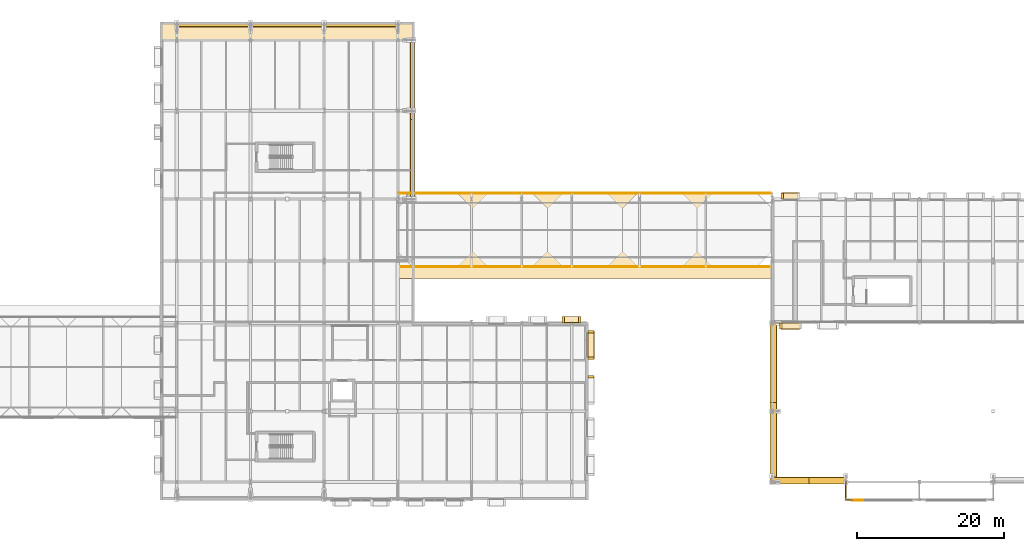
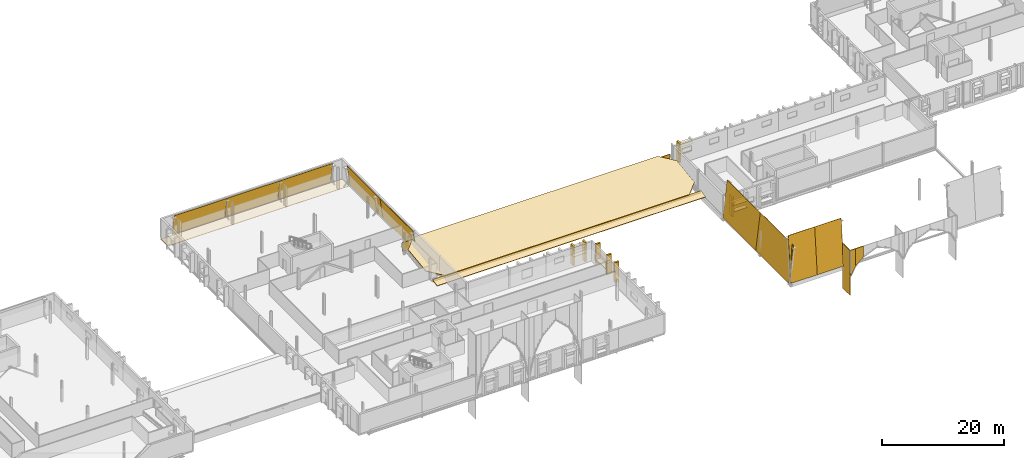
# One storey, part 88 of 90: 32 coverings, 1 shading device.
"""IFC4 building model written with IfcOpenShell, lengths in metres."""

from ifc_helpers import new_model, si_unit, direction, frame, origin, origin_2d, place, context, subcontext, project, spatial, polyline, rectangle, outline, extrude, material, layer, layer_set, type_object, element, save


model = new_model("IFC4")

# Units and contexts
model_context = context("Model", 3, precision=1e-05, world=origin(), true_north=direction((0.0, 1.0)))
body_context = subcontext(model_context, "Body", "Model", "MODEL_VIEW")
ifc_project = project(units=[si_unit("LENGTHUNIT", "METRE"), si_unit("AREAUNIT", "SQUARE_METRE"), si_unit("VOLUMEUNIT", "CUBIC_METRE"), si_unit("PLANEANGLEUNIT", "RADIAN"), si_unit("MASSUNIT", "GRAM", prefix="KILO")], contexts=[model_context])

# Site, building, storey
site_placement = place(None, origin())
site = spatial("IfcSite", under=ifc_project, at=site_placement, CompositionType="ELEMENT")
building_placement = place(site_placement, origin())
building = spatial("IfcBuilding", under=site, at=building_placement, Name="Zereglee Splitstone Museum", CompositionType="ELEMENT")
storey_placement = place(building_placement, frame((0.0, 0.0, 4.800048828125)))
storey = spatial("IfcBuildingStorey", under=building, at=storey_placement, Name="L01", CompositionType="ELEMENT", Elevation=4.800048828125)

# Coverings
ifc_material_1 = material(Name="Honed Gobi pale limestone stringcourse and soffit cladding", Category="masonry")
ifc_layer_1 = layer(ifc_material_1, 0.070068359375)
ifc_layer_set_1 = layer_set([ifc_layer_1], Name="Honed Gobi pale limestone stringcourse and soffit cladding")
covering_type_1 = type_object("IfcCoveringType", Name="CL-02", PredefinedType="CLADDING", material=ifc_layer_set_1)
for number, where, z_axis, x_axis, name in (
    (1, (231.425048828125, 14.300048828125, 0.0), (0.0, 0.0, 1.0), (0.0, 1.0, 0.0), "Mughal Window Reveal Stone Pilaster L01-0012R"),
    (2, (231.425048828125, 16.780029296875, 0.0), (0.0, 0.0, 1.0), (0.0, 1.0, 0.0), "Mughal Window Reveal Stone Pilaster L01-0013L"),
    (3, (231.425048828125, 20.419921875, 0.0), (0.0, 0.0, 1.0), (0.0, 1.0, 0.0), "Mughal Window Reveal Stone Pilaster L01-0013R"),
):
    element("IfcCovering", number, at=place(storey_placement, frame(where, z_axis=z_axis, x_axis=x_axis)), inside=storey, type_object=covering_type_1, Name=name, PredefinedType="CLADDING", context=body_context, shape_type="SweptSolid", body=[
        extrude(rectangle(XDim=0.340087890625, YDim=0.860107421875, at=origin_2d()), origin(), (0.0, 0.0, 1.0), 3.89990234375),
    ])
covering_1_placement = place(storey_placement, frame((231.43505859375, 18.60009765625, 0.760009765625), z_axis=(0.0, 0.0, 1.0), x_axis=(0.0, 1.0, 0.0)))
element("IfcCovering", 4, at=covering_1_placement, inside=storey, type_object=covering_type_1, Name="Carved Limestone Window Sill L01-0013", PredefinedType="CLADDING", context=body_context, shape_type="SweptSolid", body=[
    extrude(rectangle(XDim=3.840087890625, YDim=0.840087890625, at=origin_2d()), origin(), (0.0, 0.0, 1.0), 0.1201171875),
])
for number, where, z_axis, x_axis, name in (
    (5, (229.8701171875, 22.02490234375, 0.0), (0.0, 0.0, 1.0), (-1.0, 0.0, 0.0), "Mughal Window Reveal Stone Pilaster L01-0014L"),
    (6, (227.6298828125, 22.02490234375, 0.0), (0.0, 0.0, 1.0), (-1.0, 0.0, 0.0), "Mughal Window Reveal Stone Pilaster L01-0014R"),
):
    element("IfcCovering", number, at=place(storey_placement, frame(where, z_axis=z_axis, x_axis=x_axis)), inside=storey, type_object=covering_type_1, Name=name, PredefinedType="CLADDING", context=body_context, shape_type="SweptSolid", body=[
        extrude(rectangle(XDim=0.340087890625, YDim=0.860107421875, at=origin_2d()), origin(), (0.0, 0.0, 1.0), 3.89990234375),
    ])
covering_2_placement = place(storey_placement, frame((228.75, 22.034912109375, 1.659912109375), z_axis=(0.0, 0.0, 1.0), x_axis=(-1.0, 0.0, 0.0)))
element("IfcCovering", 7, at=covering_2_placement, inside=storey, type_object=covering_type_1, Name="Carved Limestone Window Sill L01-0014", PredefinedType="CLADDING", context=body_context, shape_type="SweptSolid", body=[
    extrude(rectangle(XDim=2.43994140625, YDim=0.840087890625, at=origin_2d()), origin(), (0.0, 0.0, 1.0), 0.1201171875),
])
covering_3_placement = place(storey_placement, frame((257.3798828125, 38.824951171875, 0.0), z_axis=(0.0, 0.0, 1.0), x_axis=(-1.0, 0.0, 0.0)))
element("IfcCovering", 8, at=covering_3_placement, inside=storey, type_object=covering_type_1, Name="Mughal Window Reveal Stone Pilaster L01-0049R", PredefinedType="CLADDING", context=body_context, shape_type="SweptSolid", body=[
    extrude(rectangle(XDim=0.340087890625, YDim=0.860107421875, at=origin_2d()), origin(), (0.0, 0.0, 1.0), 3.89990234375),
])
covering_4_placement = place(storey_placement, frame((258.5, 38.8349609375, 1.659912109375), z_axis=(0.0, 0.0, 1.0), x_axis=(-1.0, 0.0, 0.0)))
element("IfcCovering", 9, at=covering_4_placement, inside=storey, type_object=covering_type_1, Name="Carved Limestone Window Sill L01-0049", PredefinedType="CLADDING", context=body_context, shape_type="SweptSolid", body=[
    extrude(rectangle(XDim=2.43994140625, YDim=0.840087890625, at=origin_2d()), origin(), (0.0, 0.0, 1.0), 0.1201171875),
])
covering_5_placement = place(storey_placement, frame((257.179931640625, 21.175048828125, 0.0), z_axis=(0.0, 0.0, 1.0), x_axis=(1.0, 0.0, 0.0)))
element("IfcCovering", 10, at=covering_5_placement, inside=storey, type_object=covering_type_1, Name="Mughal Window Reveal Stone Pilaster L01-0050L", PredefinedType="CLADDING", context=body_context, shape_type="SweptSolid", body=[
    extrude(rectangle(XDim=0.340087890625, YDim=0.860107421875, at=origin_2d()), origin(), (0.0, 0.0, 1.0), 3.89990234375),
])
covering_6_placement = place(storey_placement, frame((258.5, 21.1650390625, 0.760009765625), z_axis=(0.0, 0.0, 1.0), x_axis=(1.0, 0.0, 0.0)))
element("IfcCovering", 11, at=covering_6_placement, inside=storey, type_object=covering_type_1, Name="Carved Limestone Window Sill L01-0050", PredefinedType="CLADDING", context=body_context, shape_type="SweptSolid", body=[
    extrude(rectangle(XDim=2.840087890625, YDim=0.840087890625, at=origin_2d()), origin(), (0.0, 0.0, 1.0), 0.1201171875),
])
covering_7_placement = place(storey_placement, frame((0.0, 0.0, -0.35009765625)))
element("IfcCovering", 12, at=covering_7_placement, inside=storey, type_object=covering_type_1, Name="Hovering Stone Plinth Soffit Apron 010", PredefinedType="CLADDING", context=body_context, shape_type="SweptSolid", body=[
    extrude(outline(polyline([(173.0, 60.050048828125), (207.39990234375, 60.050048828125), (207.39990234375, 62.39990234375), (173.0, 62.39990234375), (173.0, 60.050048828125)])), origin(), (0.0, 0.0, 1.0), 0.070068359375),
])
for number, where, z_axis, x_axis, name in (
    (13, (175.199951171875, 61.844970703125, 3.949951171875), (0.0, 0.98893721671, 0.148334693872), (1.0, 0.0, 0.0), "Split-Rock Continuous Inclined Facet FH-V4N L01.1"),
    (14, (185.199951171875, 61.844970703125, 3.949951171875), (0.0, 0.98893721671, 0.148334693872), (1.0, 0.0, 0.0), "Split-Rock Continuous Inclined Facet FH-V4N L01.2"),
    (15, (195.199951171875, 61.844970703125, 3.949951171875), (0.0, 0.98893721671, 0.148334693872), (1.0, 0.0, 0.0), "Split-Rock Continuous Inclined Facet FH-V4N L01.3"),
):
    element("IfcCovering", number, at=place(storey_placement, frame(where, z_axis=z_axis, x_axis=x_axis)), inside=storey, type_object=covering_type_1, Name=name, PredefinedType="CLADDING", context=body_context, shape_type="SweptSolid", body=[
        extrude(outline(polyline([(0.0, 0.0), (10.0, 0.0), (10.0, 4.145963552560896), (0.0, 4.145963552560896), (0.0, 0.0)])), origin(), (0.0, 0.0, -1.0), 0.070068359375),
    ])
for number, where, z_axis, x_axis, name in (
    (16, (256.590087890625, 0.0, 7.0), (-0.993195732708, 0.0, 0.116457015803), (0.0, 1.0, 0.0), "Split-Rock Continuous Inclined Facet FH-V5W L01.1"),
    (17, (256.590087890625, 10.800048828125, 7.0), (-0.993195732708, 0.0, 0.116457015803), (0.0, 1.0, 0.0), "Split-Rock Continuous Inclined Facet FH-V5W L01.2"),
):
    element("IfcCovering", number, at=place(storey_placement, frame(where, z_axis=z_axis, x_axis=x_axis)), inside=storey, type_object=covering_type_1, Name=name, PredefinedType="CLADDING", context=body_context, shape_type="SweptSolid", body=[
        extrude(outline(polyline([(0.0, 0.0), (10.800048828125, 0.0), (10.800048828125, 7.299668898324208), (0.0, 7.299668898324208), (0.0, 0.0)])), origin(), (0.0, 0.0, -1.0), 0.070068359375),
    ])
covering_8_placement = place(storey_placement, frame((0.0, 0.0, -4.800048828125)))
element("IfcCovering", 18, at=covering_8_placement, inside=storey, type_object=covering_type_1, Name="Mughal Iwan Stone Cheek Return PSQ-SV5-1", PredefinedType="CLADDING", context=body_context, shape_type="SweptSolid", body=[
    extrude(outline(polyline([(265.929931640625, -2.39990234375), (266.070068359375, -2.39990234375), (266.070068359375, 0.0), (265.929931640625, 0.0), (265.929931640625, -2.39990234375)])), origin(), (0.0, 0.0, 1.0), 8.97998046875),
])
ifc_material_2 = material(Name="Honed Khoroo red sandstone ventilated rainscreen", Category="masonry")
ifc_layer_2 = layer(ifc_material_2, 0.080078125)
ifc_layer_set_2 = layer_set([ifc_layer_2], Name="Honed Khoroo red sandstone ventilated rainscreen")
covering_type_2 = type_object("IfcCoveringType", Name="CL-01", PredefinedType="CLADDING", material=ifc_layer_set_2)
covering_9_placement = place(storey_placement, frame((231.43505859375, 18.60009765625, 2.159912109375), z_axis=(0.0, 0.0, 1.0), x_axis=(0.0, 1.0, 0.0)))
element("IfcCovering", 19, at=covering_9_placement, inside=storey, type_object=covering_type_2, Name="Pointed-Arch Mughal Window Hood L01-0013", PredefinedType="CLADDING", context=body_context, shape_type="SweptSolid", body=[
    extrude(rectangle(XDim=3.840087890625, YDim=0.860107421875, at=origin_2d()), origin(), (0.0, 0.0, 1.0), 0.580078125),
])
for number, where, z_axis, x_axis, name in (
    (20, (228.75, 22.034912109375, 2.9599609375), (0.0, 0.0, 1.0), (-1.0, 0.0, 0.0), "Pointed-Arch Mughal Window Hood L01-0014"),
    (21, (258.5, 38.8349609375, 2.9599609375), (0.0, 0.0, 1.0), (-1.0, 0.0, 0.0), "Pointed-Arch Mughal Window Hood L01-0049"),
):
    element("IfcCovering", number, at=place(storey_placement, frame(where, z_axis=z_axis, x_axis=x_axis)), inside=storey, type_object=covering_type_2, Name=name, PredefinedType="CLADDING", context=body_context, shape_type="SweptSolid", body=[
        extrude(rectangle(XDim=2.43994140625, YDim=0.860107421875, at=origin_2d()), origin(), (0.0, 0.0, 1.0), 0.580078125),
    ])
covering_10_placement = place(storey_placement, frame((258.5, 21.1650390625, 2.059814453125), z_axis=(0.0, 0.0, 1.0), x_axis=(1.0, 0.0, 0.0)))
element("IfcCovering", 22, at=covering_10_placement, inside=storey, type_object=covering_type_2, Name="Pointed-Arch Mughal Window Hood L01-0050", PredefinedType="CLADDING", context=body_context, shape_type="SweptSolid", body=[
    extrude(rectangle(XDim=2.840087890625, YDim=0.860107421875, at=origin_2d()), origin(), (0.0, 0.0, 1.0), 0.580078125),
])
for number, where, z_axis, x_axis, name in (
    (23, (207.52001953125, 38.39990234375, -0.150146484375), (0.990074089627, 0.0, 0.140546423108), (0.0, 1.0, 0.0), "Split-Rock Continuous Inclined Facet FH-V4E L01.1"),
    (24, (207.52001953125, 49.199951171875, -0.150146484375), (0.990074089627, 0.0, 0.140546423108), (0.0, 1.0, 0.0), "Split-Rock Continuous Inclined Facet FH-V4E L01.2"),
):
    element("IfcCovering", number, at=place(storey_placement, frame(where, z_axis=z_axis, x_axis=x_axis)), inside=storey, type_object=covering_type_2, Name=name, PredefinedType="CLADDING", context=body_context, shape_type="SweptSolid", body=[
        extrude(outline(polyline([(0.0, 0.0), (10.800048828125, 0.0), (10.800048828125, 4.141202864719778), (0.0, 4.141202864719778), (0.0, 0.0)])), origin(), (0.0, 0.0, -1.0), 0.080078125),
    ])
for number, where, z_axis, x_axis, name in (
    (25, (256.0, -0.2451171875, -0.25), (0.0, -0.995617283382, 0.093521254437), (1.0, 0.0, 0.0), "Split-Rock Continuous Inclined Facet FH-V5S L01.1"),
    (26, (261.0, -0.2451171875, -0.25), (0.0, -0.995617283382, 0.093521254437), (1.0, 0.0, 0.0), "Split-Rock Continuous Inclined Facet FH-V5S L01.2"),
):
    element("IfcCovering", number, at=place(storey_placement, frame(where, z_axis=z_axis, x_axis=x_axis)), inside=storey, type_object=covering_type_2, Name=name, PredefinedType="CLADDING", context=body_context, shape_type="SweptSolid", body=[
        extrude(outline(polyline([(0.0, 0.0), (5.0, 0.0), (5.0, 9.089887227936794), (0.0, 9.089887227936794), (0.0, 0.0)])), origin(), (0.0, 0.0, -1.0), 0.080078125),
    ])
covering_11_placement = place(storey_placement, frame((266.0, -2.5400390625, -1.0), z_axis=(0.0, -1.0, 0.0), x_axis=(0.454448380704, 0.0, 0.890773073951)))
element("IfcCovering", 27, at=covering_11_placement, inside=storey, type_object=covering_type_2, Name="Mughal Pishtaq Pointed-Arch Stone Voussoir PSQ-SV5-1-1", PredefinedType="CLADDING", context=body_context, shape_type="SweptSolid", body=[
    extrude(outline(polyline([(0.0, 0.0), (1.9802080543380078, 0.0), (5.10335066054135, 1.5933430652547433), (4.694391497632849, 2.394951842252551), (0.0, 0.0)])), origin(), (0.0, 0.0, -1.0), 0.1201171875),
])
covering_12_placement = place(storey_placement, frame((266.89990234375, -2.5400390625, 0.763916015625), z_axis=(0.0, -1.0, 0.0), x_axis=(0.744775087592, 0.0, 0.667315569205)))
element("IfcCovering", 28, at=covering_12_placement, inside=storey, type_object=covering_type_2, Name="Mughal Pishtaq Pointed-Arch Stone Voussoir PSQ-SV5-1-2", PredefinedType="CLADDING", context=body_context, shape_type="SweptSolid", body=[
    extrude(outline(polyline([(0.0, 0.0), (2.0140308463462846, 0.0), (3.456840094606804, 1.6102851991485254), (2.339677463219209, 2.6112585529552814), (0.0, 0.0)])), origin(), (0.0, 0.0, -1.0), 0.1201171875),
])
covering_13_placement = place(storey_placement, frame((205.35009765625, 29.14990234375, 0.0), z_axis=(0.0, -1.0, 0.0), x_axis=(1.0, 0.0, 0.0)))
element("IfcCovering", 29, at=covering_13_placement, inside=storey, type_object=covering_type_2, Name="Raked Attic Split-Rock Cladding RF-L3 S", PredefinedType="CLADDING", context=body_context, shape_type="SweptSolid", body=[
    extrude(outline(polyline([(0.0, 0.0), (50.5, 0.0), (50.5, 0.4345703125), (0.0, 0.4345703125), (0.0, 0.0)])), origin(), (0.0, 0.0, -1.0), 0.1201171875),
])
covering_14_placement = place(storey_placement, frame((205.35009765625, 39.25, 1.75537109375), z_axis=(0.0, 1.0, 0.0), x_axis=(1.0, 0.0, 0.0)))
element("IfcCovering", 30, at=covering_14_placement, inside=storey, type_object=covering_type_2, Name="Raked Attic Split-Rock Cladding RF-L3 N", PredefinedType="CLADDING", context=body_context, shape_type="SweptSolid", body=[
    extrude(outline(polyline([(0.0, 0.0), (50.5, 0.0), (50.5, 1.75537109375), (0.0, 1.75537109375), (0.0, 0.0)])), origin(), (0.0, 0.0, -1.0), 0.1201171875),
])
ifc_material_3 = material(Name="Honed Khoroo red sandstone chhajja eave coping", Category="masonry")
ifc_layer_3 = layer(ifc_material_3, 0.110107421875)
ifc_layer_set_3 = layer_set([ifc_layer_3], Name="Honed Khoroo red sandstone chhajja eave coping")
covering_type_3 = type_object("IfcCoveringType", Name="RF-C2", PredefinedType="ROOFING", material=ifc_layer_set_3)
covering_15_placement = place(storey_placement, frame((205.199951171875, 27.60009765625, 0.18994140625), z_axis=(0.0, -0.202253592257, 0.979333183559), x_axis=(1.0, 0.0, 0.0)))
element("IfcCovering", 31, at=covering_15_placement, inside=storey, type_object=covering_type_3, Name="Projecting Mughal Chhajja Stone Eave RF-L3", PredefinedType="ROOFING", context=body_context, shape_type="SweptSolid", body=[
    extrude(outline(polyline([(0.0, 0.0), (50.800048828125, 0.0), (50.800048828125, 1.5825101339549066), (0.0, 1.5825101339549066), (0.0, 0.0)])), origin(), (0.0, 0.0, -1.0), 0.110107421875),
])
ifc_material_4 = material(Name="Pre-weathered quartz-zinc standing-seam roofing on rigid PIR insulation")
ifc_layer_4 = layer(ifc_material_4, 0.1201171875)
ifc_layer_set_4 = layer_set([ifc_layer_4], Name="Pre-weathered quartz-zinc standing-seam roofing on rigid PIR insulation")
covering_type_4 = type_object("IfcCoveringType", Name="RF-C1", PredefinedType="ROOFING", material=ifc_layer_set_4)
covering_16_placement = place(storey_placement, frame((207.488037109375, 29.0, 0.60498046875), z_axis=(0.0, -0.129654460014, 0.991559237261), x_axis=(1.0, 0.0, 0.0)))
element("IfcCovering", 32, at=covering_16_placement, inside=storey, type_object=covering_type_4, Name="Standing-Seam Zinc Roof Covering RF-L3", PredefinedType="ROOFING", context=body_context, shape_type="SweptSolid", body=[
    extrude(outline(polyline([(0.0, 0.0), (46.223876953125, 0.0), (48.511962890625, 2.3075488000808875), (48.511962890625, 8.181124854796513), (46.223876953125, 10.488431574985492), (0.0, 10.488431574985492), (-2.2880859375, 8.181124854796513), (-2.2880859375, 2.3075488000808875), (0.0, 0.0)])), origin(), (0.0, 0.0, -1.0), 0.1201171875),
])

# Shading device
ifc_material_5 = material(Name="Anodised bronze extruded aluminium chhajja brise-soleil", Category="aluminium")
ifc_layer_5 = layer(ifc_material_5, 0.080078125)
ifc_layer_set_5 = layer_set([ifc_layer_5], Name="Anodised bronze extruded aluminium chhajja brise-soleil")
shading_device_type = type_object("IfcShadingDeviceType", Name="SH-01", PredefinedType="SHUTTER", material=ifc_layer_set_5)
shading_device_placement = place(storey_placement, frame((258.5, 21.1650390625, 2.139892578125), z_axis=(0.0, 0.0, 1.0), x_axis=(1.0, 0.0, 0.0)))
element("IfcShadingDevice", 33, at=shading_device_placement, inside=storey, type_object=shading_device_type, Name="Chhajja Window Brise-Soleil 23", PredefinedType="SHUTTER", context=body_context, shape_type="SweptSolid", body=[
    extrude(rectangle(XDim=2.60009765625, YDim=0.97998046875, at=origin_2d()), origin(), (0.0, 0.0, 1.0), 0.080078125),
])

save(model, "model.ifc")
